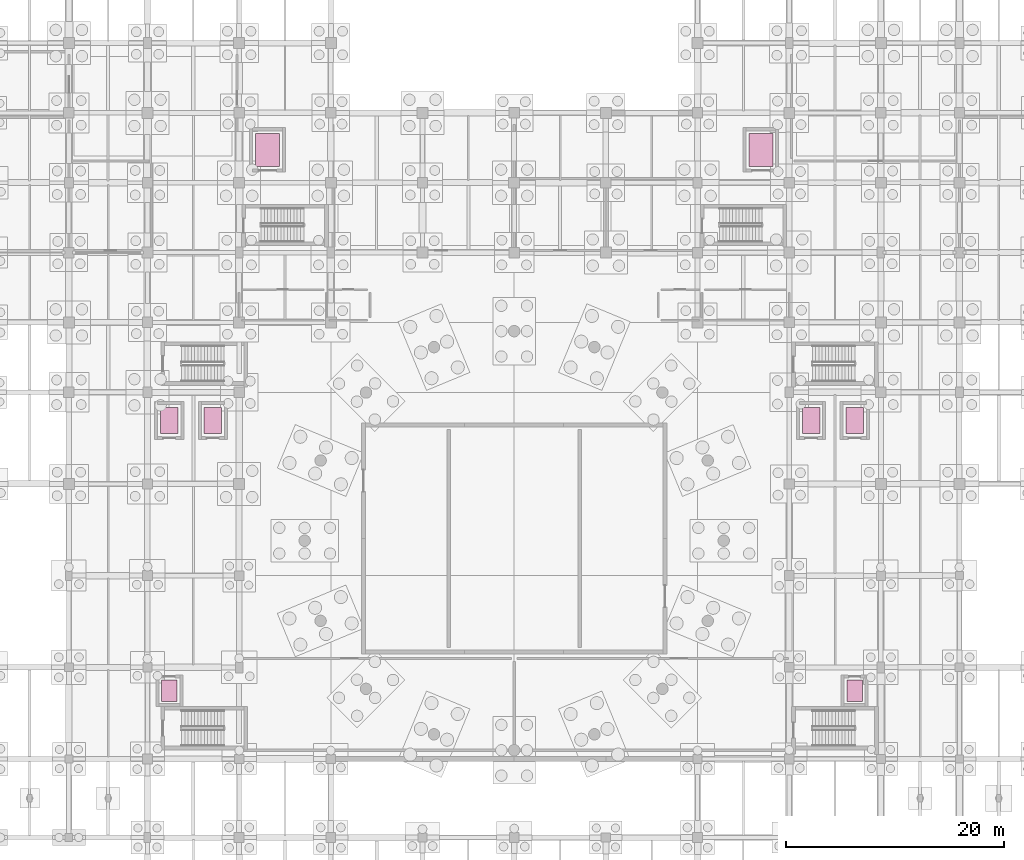
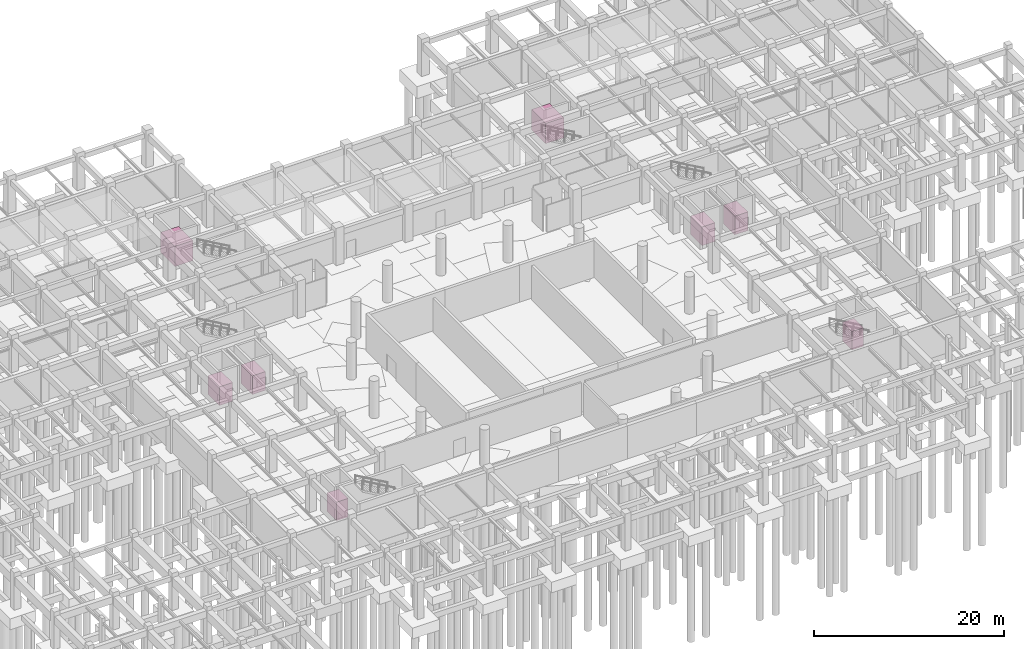
# One storey, part 44 of 44: 8 transport elements.
"""IFC4 building model written with IfcOpenShell, lengths in metres."""

from ifc_helpers import new_model, si_unit, direction, frame, origin, origin_2d, place, context, subcontext, project, spatial, rectangle, extrude, material, type_object, element, save


model = new_model("IFC4")

# Units and contexts
model_context = context("Model", 3, precision=1e-05, world=origin(), true_north=direction((0.0, 1.0)))
body_context = subcontext(model_context, "Body", "Model", "MODEL_VIEW")
ifc_project = project(units=[si_unit("LENGTHUNIT", "METRE"), si_unit("AREAUNIT", "SQUARE_METRE"), si_unit("VOLUMEUNIT", "CUBIC_METRE"), si_unit("PLANEANGLEUNIT", "RADIAN"), si_unit("MASSUNIT", "GRAM", prefix="KILO")], contexts=[model_context])

# Site, building, storey
site_placement = place(None, origin())
site = spatial("IfcSite", under=ifc_project, at=site_placement, CompositionType="ELEMENT")
building_placement = place(site_placement, origin())
building = spatial("IfcBuilding", under=site, at=building_placement, Name="Korsvaeld Concert Hall", CompositionType="ELEMENT")
storey_placement = place(building_placement, frame((0.0, 0.0, -4.800048828125)))
storey = spatial("IfcBuildingStorey", under=building, at=storey_placement, Name="B1", CompositionType="ELEMENT", Elevation=-4.800048828125)

# Transport elements
ifc_material_1 = material(Name="Heavy-duty stainless steel stage goods lift car", Category="steel")
transport_element_type_1 = type_object("IfcTransportElementType", Name="LFT-GOODS-220x300", PredefinedType="ELEVATOR", material=ifc_material_1)
for number, where, z_axis, x_axis, name in (
    (1, (61.39990234375, 99.0, 0.0), (0.0, 0.0, 1.0), (1.0, 0.0, 0.0), "Elevator LG-01 car"),
    (2, (106.60009765625, 99.0, 0.0), (0.0, 0.0, 1.0), (1.0, 0.0, 0.0), "Elevator LG-02 car"),
):
    element("IfcTransportElement", number, at=place(storey_placement, frame(where, z_axis=z_axis, x_axis=x_axis)), inside=storey, type_object=transport_element_type_1, Name=name, PredefinedType="ELEVATOR", context=body_context, shape_type="SweptSolid", body=[
        extrude(rectangle(XDim=2.199951171875, YDim=3.0, at=origin_2d()), origin(), (0.0, 0.0, 1.0), 2.60009765625),
    ])
ifc_material_2 = material(Name="Brushed bronze and stainless steel lift car", Category="steel")
transport_element_type_2 = type_object("IfcTransportElementType", Name="LFT-PASS-140x200", PredefinedType="ELEVATOR", material=ifc_material_2)
for number, where, z_axis, x_axis, name in (
    (3, (52.39990234375, 49.449951171875, 0.0), (0.0, 0.0, 1.0), (1.0, 0.0, 0.0), "Elevator LP-05 car"),
    (4, (115.199951171875, 49.449951171875, 0.0), (0.0, 0.0, 1.0), (1.0, 0.0, 0.0), "Elevator LP-06 car"),
):
    element("IfcTransportElement", number, at=place(storey_placement, frame(where, z_axis=z_axis, x_axis=x_axis)), inside=storey, type_object=transport_element_type_2, Name=name, PredefinedType="ELEVATOR", context=body_context, shape_type="SweptSolid", body=[
        extrude(rectangle(XDim=1.39990234375, YDim=2.0, at=origin_2d()), origin(), (0.0, 0.0, 1.0), 2.39990234375),
    ])
transport_element_type_3 = type_object("IfcTransportElementType", Name="LFT-PASS-160x240", PredefinedType="ELEVATOR", material=ifc_material_2)
for number, where, z_axis, x_axis, name in (
    (5, (52.39990234375, 74.199951171875, 0.0), (0.0, 0.0, 1.0), (1.0, 0.0, 0.0), "Elevator LP-01 car"),
    (6, (56.39990234375, 74.199951171875, 0.0), (0.0, 0.0, 1.0), (1.0, 0.0, 0.0), "Elevator LP-02 car"),
    (7, (111.199951171875, 74.199951171875, 0.0), (0.0, 0.0, 1.0), (1.0, 0.0, 0.0), "Elevator LP-03 car"),
    (8, (115.199951171875, 74.199951171875, 0.0), (0.0, 0.0, 1.0), (1.0, 0.0, 0.0), "Elevator LP-04 car"),
):
    element("IfcTransportElement", number, at=place(storey_placement, frame(where, z_axis=z_axis, x_axis=x_axis)), inside=storey, type_object=transport_element_type_3, Name=name, PredefinedType="ELEVATOR", context=body_context, shape_type="SweptSolid", body=[
        extrude(rectangle(XDim=1.60009765625, YDim=2.39990234375, at=origin_2d()), origin(), (0.0, 0.0, 1.0), 2.39990234375),
    ])

save(model, "model.ifc")
